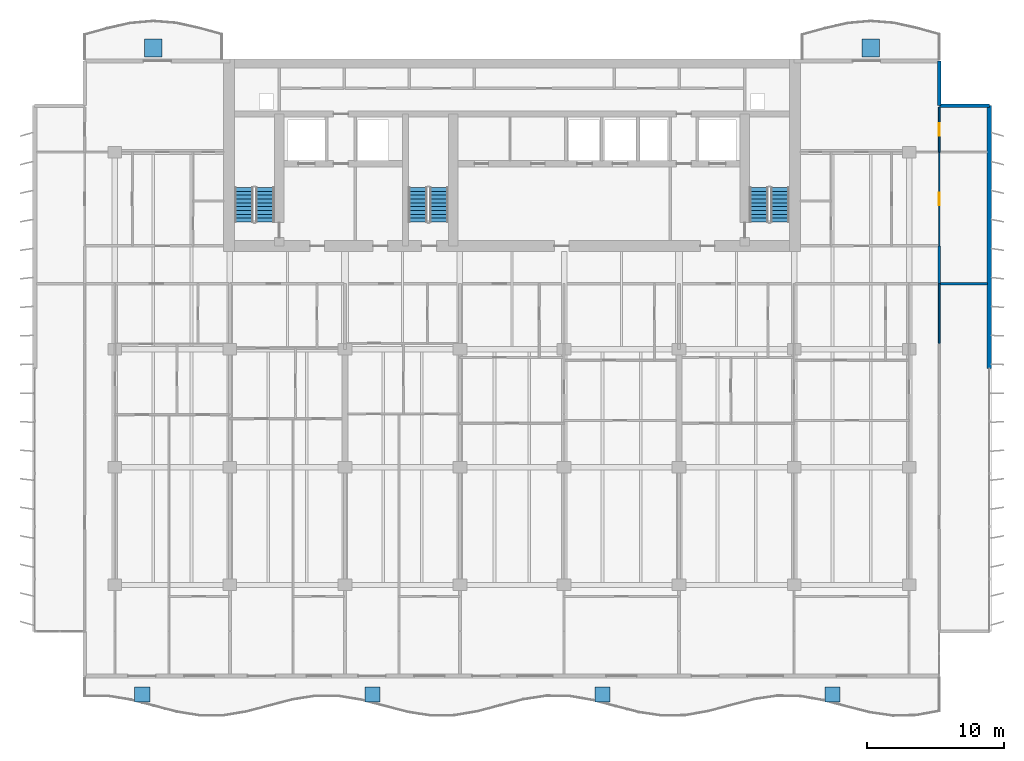
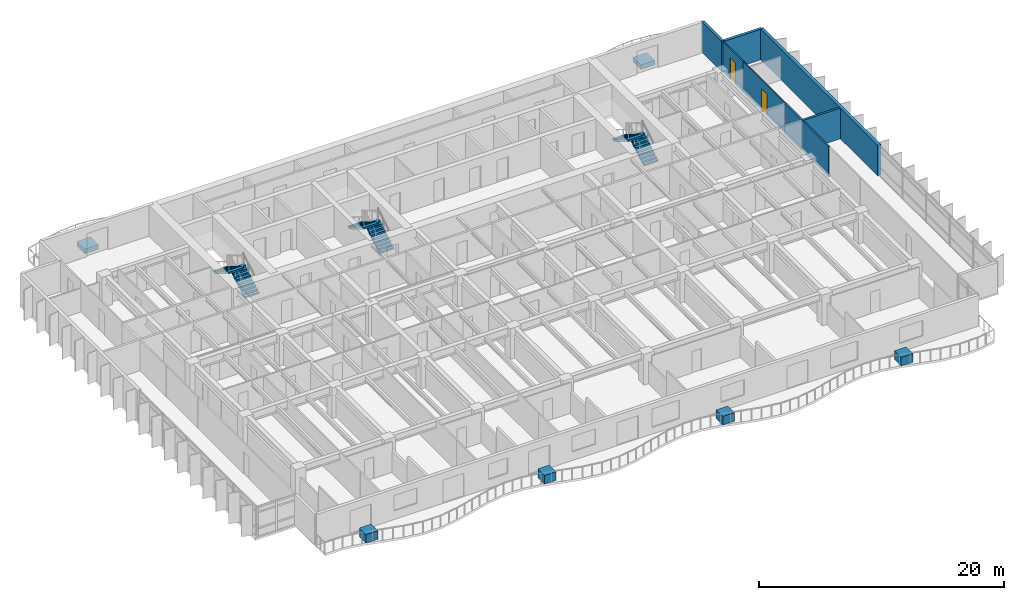
# One storey, part 12 of 16: 8 walls, 6 discrete accessories, 6 stair flights, 2 doors, 2 openings, 3 elements without a shape of their own.
"""IFC4 building model written with IfcOpenShell, lengths in metres."""

from ifc_helpers import new_model, si_unit, direction, frame, frame_2d, origin, origin_2d, place, context, subcontext, project, spatial, polyline, rectangle, outline, extrude, material, layer, layer_set, type_object, element, fill, aggregate, save


model = new_model("IFC4")

# Units and contexts
model_context = context("Model", 3, precision=1e-05, world=origin(), true_north=direction((0.0, 1.0)))
body_context = subcontext(model_context, "Body", "Model", "MODEL_VIEW")
ifc_project = project(units=[si_unit("LENGTHUNIT", "METRE"), si_unit("AREAUNIT", "SQUARE_METRE"), si_unit("VOLUMEUNIT", "CUBIC_METRE"), si_unit("PLANEANGLEUNIT", "RADIAN"), si_unit("MASSUNIT", "GRAM", prefix="KILO")], contexts=[model_context])

# Site, building, storey
site_placement = place(None, origin())
site = spatial("IfcSite", under=ifc_project, at=site_placement, CompositionType="ELEMENT")
building_placement = place(site_placement, origin())
building = spatial("IfcBuilding", under=site, at=building_placement, Name="Caelmar Bay Residences", CompositionType="ELEMENT")
storey_placement = place(building_placement, frame((0.0, 0.0, 145.5)))
storey = spatial("IfcBuildingStorey", under=building, at=storey_placement, Name="L40", CompositionType="ELEMENT", Elevation=145.5)

# Walls
ifc_material_1 = material(Name="Double-stud acoustic fire-rated gypsum partition 180 mm")
ifc_layer_1 = layer(ifc_material_1, 0.179931640625)
ifc_layer_set_1 = layer_set([ifc_layer_1], Name="Double-stud acoustic fire-rated gypsum partition 180 mm")
wall_type_1 = type_object("IfcWallType", Name="W-COR-200", PredefinedType="PARTITIONING", material=ifc_layer_set_1)
wall_1_placement = place(storey_placement, frame((70.10009765625, 34.205078125, 0.0), z_axis=(0.0, 0.0, 1.0), x_axis=(0.0, 1.0, 0.0)))
element("IfcWall", 1, at=wall_1_placement, inside=storey, type_object=wall_type_1, Name="L40 Partition Wall V087", PredefinedType="PARTITIONING", context=body_context, shape_type="SweptSolid", body=[
    extrude(rectangle(XDim=2.744873046875, YDim=0.179931640625, at=frame_2d((1.37255859375, 0.0))), origin(), (0.0, 0.0, 1.0), 3.050048828125),
])
ifc_material_2 = material(Name="Precast concrete f'c 40 MPa (6,000 psi)", Category="concrete")
ifc_layer_2 = layer(ifc_material_2, 0.25)
ifc_layer_set_2 = layer_set([ifc_layer_2], Name="Precast concrete f'c 40 MPa (6,000 psi)")
wall_type_2 = type_object("IfcWallType", Name="W-EXT-250", PredefinedType="ELEMENTEDWALL", material=ifc_layer_set_2)
wall_2_placement = place(storey_placement, frame((70.10009765625, 50.449951171875, 0.0), z_axis=(0.0, 0.0, 1.0), x_axis=(0.0, -1.0, 0.0)))
element("IfcWall", 2, at=wall_2_placement, inside=storey, type_object=wall_type_2, Name="L40 NNE-V Notch Wall", PredefinedType="ELEMENTEDWALL", context=body_context, shape_type="SweptSolid", body=[
    extrude(rectangle(XDim=3.25, YDim=0.25, at=frame_2d((1.625, 0.0))), origin(), (0.0, 0.0, 1.0), 3.050048828125),
])
wall_3_placement = place(storey_placement, frame((70.10009765625, 47.199951171875, 0.0), z_axis=(0.0, 0.0, 1.0), x_axis=(1.0, 0.0, 0.0)))
element("IfcWall", 3, at=wall_3_placement, inside=storey, type_object=wall_type_2, Name="L40 NNE-H Notch Wall", PredefinedType="ELEMENTEDWALL", context=body_context, shape_type="SweptSolid", body=[
    extrude(rectangle(XDim=3.64990234375, YDim=0.25, at=frame_2d((1.824951171875, 0.0))), origin(), (0.0, 0.0, 1.0), 3.050048828125),
])
ifc_layer_3 = layer(ifc_material_2, 0.300048828125)
ifc_layer_set_3 = layer_set([ifc_layer_3], Name="Precast concrete f'c 40 MPa (6,000 psi)")
wall_type_3 = type_object("IfcWallType", Name="W-EXT-300", PredefinedType="STANDARD", material=ifc_layer_set_3)
wall_4_placement = place(storey_placement, frame((73.75, 47.199951171875, 0.0), z_axis=(0.0, 0.0, 1.0), x_axis=(0.0, -1.0, 0.0)))
element("IfcWall", 4, at=wall_4_placement, inside=storey, type_object=wall_type_3, Name="L40 East Rear Exterior Wall", PredefinedType="STANDARD", context=body_context, shape_type="SweptSolid", body=[
    extrude(rectangle(XDim=19.199951171875, YDim=0.300048828125, at=frame_2d((9.60009765625, 0.0))), origin(), (0.0, 0.0, 1.0), 3.050048828125),
])

# Wall, opening, door
ifc_material_3 = material(Name="Anodised bronze framed acoustic sliding study partition 100 mm")
ifc_layer_4 = layer(ifc_material_3, 0.10009765625)
ifc_layer_set_4 = layer_set([ifc_layer_4], Name="Anodised bronze framed acoustic sliding study partition 100 mm")
wall_type_4 = type_object("IfcWallType", Name="W-MOV-100", PredefinedType="MOVABLE", material=ifc_layer_set_4)
wall_5_placement = place(storey_placement, frame((70.10009765625, 36.955078125, 0.0), z_axis=(0.0, 0.0, 1.0), x_axis=(0.0, 1.0, 0.0)))
wall_5 = element("IfcWall", 5, at=wall_5_placement, inside=storey, type_object=wall_type_4, Name="L40 Partition Wall V088", PredefinedType="MOVABLE", context=body_context, shape_type="SweptSolid", body=[
    extrude(rectangle(XDim=6.844970703125, YDim=0.10009765625, at=frame_2d((3.42236328125, 0.0))), origin(), (0.0, 0.0, 1.0), 3.050048828125),
])
opening_1_placement = place(wall_5_placement, frame((2.972412109375, 0.0, 0.0)))
opening_1 = element("IfcOpeningElement", 6, at=opening_1_placement, cuts=wall_5, Name="Opening D-L40-180", PredefinedType="OPENING", context=body_context, shape_type="SweptSolid", body=[
    extrude(rectangle(XDim=0.89990234375, YDim=2.14990234375, at=frame_2d((0.449951171875, 1.074951171875))), frame((0.0, 0.06005859375, 0.0), z_axis=(0.0, -1.0, 0.0), x_axis=(1.0, 0.0, 0.0)), (0.0, 0.0, 1.0), 0.1201171875),
])
ifc_material_4 = material(Name="Solid walnut timber interior door leaf and frame", Category="wood")
ifc_layer_5 = layer(ifc_material_4, 0.050048828125)
ifc_layer_set_5 = layer_set([ifc_layer_5], Name="Solid walnut timber interior door leaf and frame")
door_type = type_object("IfcDoorType", Name="D-ROOM-900", OperationType="NOTDEFINED", PredefinedType="DOOR", material=ifc_layer_set_5)
door_1_placement = place(opening_1_placement, origin())
door_1 = element("IfcDoor", 7, at=door_1_placement, inside=storey, type_object=door_type, Name="L40 Residence EA Sun Study Door", OperationType="SINGLE_SWING_RIGHT", OverallHeight=2.14990234375, OverallWidth=0.89990234375, PredefinedType="DOOR", context=body_context, shape_type="SweptSolid", body=[
    extrude(rectangle(XDim=0.89990234375, YDim=2.14990234375, at=frame_2d((0.449951171875, 1.074951171875))), frame((0.0, 0.02490234375, 0.0), z_axis=(0.0, -1.0, 0.0), x_axis=(1.0, 0.0, 0.0)), (0.0, 0.0, 1.0), 0.050048828125),
])
fill(opening_1, door_1)

# Wall
ifc_material_5 = material(Name="Acoustic metal-stud gypsum partition 120 mm")
ifc_layer_6 = layer(ifc_material_5, 0.1201171875)
ifc_layer_set_6 = layer_set([ifc_layer_6], Name="Acoustic metal-stud gypsum partition 120 mm")
wall_type_5 = type_object("IfcWallType", Name="W-PRT-120", PredefinedType="PARTITIONING", material=ifc_layer_set_6)
wall_6_placement = place(storey_placement, frame((70.10009765625, 29.840087890625, 0.0), z_axis=(0.0, 0.0, 1.0), x_axis=(0.0, 1.0, 0.0)))
element("IfcWall", 8, at=wall_6_placement, inside=storey, type_object=wall_type_5, Name="L40 Partition Wall V086", PredefinedType="PARTITIONING", context=body_context, shape_type="SweptSolid", body=[
    extrude(rectangle(XDim=4.35986328125, YDim=0.1201171875, at=frame_2d((2.179931640625, 0.0))), origin(), (0.0, 0.0, 1.0), 3.050048828125),
])

# Wall, opening, door
wall_7_placement = place(storey_placement, frame((70.10009765625, 43.804931640625, 0.0), z_axis=(0.0, 0.0, 1.0), x_axis=(0.0, 1.0, 0.0)))
wall_7 = element("IfcWall", 9, at=wall_7_placement, inside=storey, type_object=wall_type_5, Name="L40 Partition Wall V089", PredefinedType="PARTITIONING", context=body_context, shape_type="SweptSolid", body=[
    extrude(rectangle(XDim=3.275146484375, YDim=0.1201171875, at=frame_2d((1.6376953125, 0.0))), origin(), (0.0, 0.0, 1.0), 3.050048828125),
])
opening_2_placement = place(wall_7_placement, frame((1.1875, 0.0, 0.0)))
opening_2 = element("IfcOpeningElement", 10, at=opening_2_placement, cuts=wall_7, Name="Opening D-L40-181", PredefinedType="OPENING", context=body_context, shape_type="SweptSolid", body=[
    extrude(rectangle(XDim=0.89990234375, YDim=2.14990234375, at=frame_2d((0.449951171875, 1.074951171875))), frame((0.0, 0.070068359375, 0.0), z_axis=(0.0, -1.0, 0.0), x_axis=(1.0, 0.0, 0.0)), (0.0, 0.0, 1.0), 0.14013671875),
])
door_2_placement = place(opening_2_placement, origin())
door_2 = element("IfcDoor", 11, at=door_2_placement, inside=storey, type_object=door_type, Name="L40 Residence EA North Sitting Alcove Door", OperationType="SINGLE_SWING_LEFT", OverallHeight=2.14990234375, OverallWidth=0.89990234375, PredefinedType="DOOR", context=body_context, shape_type="SweptSolid", body=[
    extrude(rectangle(XDim=0.89990234375, YDim=2.14990234375, at=frame_2d((0.449951171875, 1.074951171875))), frame((0.0, 0.02490234375, 0.0), z_axis=(0.0, -1.0, 0.0), x_axis=(1.0, 0.0, 0.0)), (0.0, 0.0, 1.0), 0.050048828125),
])
fill(opening_2, door_2)

# Wall
ifc_material_6 = material(Name="Acoustic twin-stud fire-rated inter-tenancy partition 200 mm")
ifc_layer_7 = layer(ifc_material_6, 0.199951171875)
ifc_layer_set_7 = layer_set([ifc_layer_7], Name="Acoustic twin-stud fire-rated inter-tenancy partition 200 mm")
wall_type_6 = type_object("IfcWallType", Name="W-PTY-200", PredefinedType="PARTITIONING", material=ifc_layer_set_7)
wall_8_placement = place(storey_placement, frame((70.10498046875, 34.199951171875, 0.0), z_axis=(0.0, 0.0, 1.0), x_axis=(1.0, 0.0, 0.0)))
element("IfcWall", 12, at=wall_8_placement, inside=storey, type_object=wall_type_6, Name="L40 Partition Wall H114", PredefinedType="PARTITIONING", context=body_context, shape_type="SweptSolid", body=[
    extrude(rectangle(XDim=3.5, YDim=0.199951171875, at=frame_2d((1.75, 0.0))), origin(), (0.0, 0.0, 1.0), 3.050048828125),
])

# Stair, stair flights
ifc_material_7 = material(Name="Concrete f'c 40 MPa (6,000 psi)", Category="concrete")
stair_type = type_object("IfcStairType", Name="ST-TYP-165", PredefinedType="HALF_TURN_STAIR", material=ifc_material_7)
stair_1_placement = place(storey_placement, origin())
stair_1 = element("IfcStair", 13, at=stair_1_placement, inside=storey, type_object=stair_type, Name="L40 West Smokeproof Exit Stair ST1", PredefinedType="HALF_TURN_STAIR")
stair_flight_type = type_object("IfcStairFlightType", Name="STF-1350", PredefinedType="STRAIGHT", material=ifc_material_7)
stair_flight_1_placement = place(storey_placement, frame((20.875, 38.699951171875, 0.0), z_axis=(0.0, 0.0, 1.0), x_axis=(0.0, 1.0, 0.0)))
stair_flight_1 = element("IfcStairFlight", 14, at=stair_flight_1_placement, type_object=stair_flight_type, Name="ST1 flight 1", NumberOfRisers=10, NumberOfTreads=9, PredefinedType="STRAIGHT", RiserHeight=0.165, TreadLength=0.28, context=body_context, shape_type="SweptSolid", body=[
    extrude(outline(polyline([(0.0, 0.0), (0.0, 0.1650390625), (0.280029296875, 0.1650390625), (0.280029296875, 0.330078125), (0.56005859375, 0.330078125), (0.56005859375, 0.4951171875), (0.840087890625, 0.4951171875), (0.840087890625, 0.659912109375), (1.1201171875, 0.659912109375), (1.1201171875, 0.824951171875), (1.39990234375, 0.824951171875), (1.39990234375, 0.989990234375), (1.679931640625, 0.989990234375), (1.679931640625, 1.155029296875), (1.9599609375, 1.155029296875), (1.9599609375, 1.320068359375), (2.239990234375, 1.320068359375), (2.239990234375, 1.485107421875), (2.52001953125, 1.485107421875), (2.52001953125, 1.64990234375), (2.52001953125, 1.31103515625), (0.295166015625, 0.0), (0.0, 0.0)])), frame((0.0, 0.675048828125, 0.0), z_axis=(0.0, -1.0, 0.0), x_axis=(1.0, 0.0, 0.0)), (0.0, 0.0, 1.0), 1.35009765625),
])
stair_flight_2_placement = place(storey_placement, frame((19.324951171875, 41.219970703125, 1.64990234375), z_axis=(0.0, 0.0, 1.0), x_axis=(0.0, -1.0, 0.0)))
stair_flight_2 = element("IfcStairFlight", 15, at=stair_flight_2_placement, type_object=stair_flight_type, Name="ST1 flight 2", NumberOfRisers=10, NumberOfTreads=9, PredefinedType="STRAIGHT", RiserHeight=0.165, TreadLength=0.28, context=body_context, shape_type="SweptSolid", body=[
    extrude(outline(polyline([(0.0, 0.0), (0.0, 0.1650390625), (0.280029296875, 0.1650390625), (0.280029296875, 0.330078125), (0.56005859375, 0.330078125), (0.56005859375, 0.4951171875), (0.840087890625, 0.4951171875), (0.840087890625, 0.659912109375), (1.1201171875, 0.659912109375), (1.1201171875, 0.824951171875), (1.39990234375, 0.824951171875), (1.39990234375, 0.989990234375), (1.679931640625, 0.989990234375), (1.679931640625, 1.155029296875), (1.9599609375, 1.155029296875), (1.9599609375, 1.320068359375), (2.239990234375, 1.320068359375), (2.239990234375, 1.485107421875), (2.52001953125, 1.485107421875), (2.52001953125, 1.64990234375), (2.52001953125, 1.31103515625), (0.295166015625, 0.0), (0.0, 0.0)])), frame((0.0, 0.675048828125, 0.0), z_axis=(0.0, -1.0, 0.0), x_axis=(1.0, 0.0, 0.0)), (0.0, 0.0, 1.0), 1.35009765625),
])
aggregate(stair_1, [stair_flight_1, stair_flight_2])

stair_2_placement = place(storey_placement, origin())
stair_2 = element("IfcStair", 16, at=stair_2_placement, inside=storey, type_object=stair_type, Name="L40 East Smokeproof Exit Stair ST2", PredefinedType="HALF_TURN_STAIR")
stair_flight_3_placement = place(storey_placement, frame((58.47509765625, 38.699951171875, 0.0), z_axis=(0.0, 0.0, 1.0), x_axis=(0.0, 1.0, 0.0)))
stair_flight_3 = element("IfcStairFlight", 17, at=stair_flight_3_placement, type_object=stair_flight_type, Name="ST2 flight 1", NumberOfRisers=10, NumberOfTreads=9, PredefinedType="STRAIGHT", RiserHeight=0.165, TreadLength=0.28, context=body_context, shape_type="SweptSolid", body=[
    extrude(outline(polyline([(0.0, 0.0), (0.0, 0.1650390625), (0.280029296875, 0.1650390625), (0.280029296875, 0.330078125), (0.56005859375, 0.330078125), (0.56005859375, 0.4951171875), (0.840087890625, 0.4951171875), (0.840087890625, 0.659912109375), (1.1201171875, 0.659912109375), (1.1201171875, 0.824951171875), (1.39990234375, 0.824951171875), (1.39990234375, 0.989990234375), (1.679931640625, 0.989990234375), (1.679931640625, 1.155029296875), (1.9599609375, 1.155029296875), (1.9599609375, 1.320068359375), (2.239990234375, 1.320068359375), (2.239990234375, 1.485107421875), (2.52001953125, 1.485107421875), (2.52001953125, 1.64990234375), (2.52001953125, 1.31103515625), (0.295166015625, 0.0), (0.0, 0.0)])), frame((0.0, 0.675048828125, 0.0), z_axis=(0.0, -1.0, 0.0), x_axis=(1.0, 0.0, 0.0)), (0.0, 0.0, 1.0), 1.35009765625),
])
stair_flight_4_placement = place(storey_placement, frame((56.925048828125, 41.219970703125, 1.64990234375), z_axis=(0.0, 0.0, 1.0), x_axis=(0.0, -1.0, 0.0)))
stair_flight_4 = element("IfcStairFlight", 18, at=stair_flight_4_placement, type_object=stair_flight_type, Name="ST2 flight 2", NumberOfRisers=10, NumberOfTreads=9, PredefinedType="STRAIGHT", RiserHeight=0.165, TreadLength=0.28, context=body_context, shape_type="SweptSolid", body=[
    extrude(outline(polyline([(0.0, 0.0), (0.0, 0.1650390625), (0.280029296875, 0.1650390625), (0.280029296875, 0.330078125), (0.56005859375, 0.330078125), (0.56005859375, 0.4951171875), (0.840087890625, 0.4951171875), (0.840087890625, 0.659912109375), (1.1201171875, 0.659912109375), (1.1201171875, 0.824951171875), (1.39990234375, 0.824951171875), (1.39990234375, 0.989990234375), (1.679931640625, 0.989990234375), (1.679931640625, 1.155029296875), (1.9599609375, 1.155029296875), (1.9599609375, 1.320068359375), (2.239990234375, 1.320068359375), (2.239990234375, 1.485107421875), (2.52001953125, 1.485107421875), (2.52001953125, 1.64990234375), (2.52001953125, 1.31103515625), (0.295166015625, 0.0), (0.0, 0.0)])), frame((0.0, 0.675048828125, 0.0), z_axis=(0.0, -1.0, 0.0), x_axis=(1.0, 0.0, 0.0)), (0.0, 0.0, 1.0), 1.35009765625),
])
aggregate(stair_2, [stair_flight_3, stair_flight_4])

stair_3_placement = place(storey_placement, origin())
stair_3 = element("IfcStair", 19, at=stair_3_placement, inside=storey, type_object=stair_type, Name="L40 Central Smokeproof Exit Stair ST3", PredefinedType="HALF_TURN_STAIR")
stair_flight_5_placement = place(storey_placement, frame((33.574951171875, 38.699951171875, 0.0), z_axis=(0.0, 0.0, 1.0), x_axis=(0.0, 1.0, 0.0)))
stair_flight_5 = element("IfcStairFlight", 20, at=stair_flight_5_placement, type_object=stair_flight_type, Name="ST3 flight 1", NumberOfRisers=10, NumberOfTreads=9, PredefinedType="STRAIGHT", RiserHeight=0.165, TreadLength=0.28, context=body_context, shape_type="SweptSolid", body=[
    extrude(outline(polyline([(0.0, 0.0), (0.0, 0.1650390625), (0.280029296875, 0.1650390625), (0.280029296875, 0.330078125), (0.56005859375, 0.330078125), (0.56005859375, 0.4951171875), (0.840087890625, 0.4951171875), (0.840087890625, 0.659912109375), (1.1201171875, 0.659912109375), (1.1201171875, 0.824951171875), (1.39990234375, 0.824951171875), (1.39990234375, 0.989990234375), (1.679931640625, 0.989990234375), (1.679931640625, 1.155029296875), (1.9599609375, 1.155029296875), (1.9599609375, 1.320068359375), (2.239990234375, 1.320068359375), (2.239990234375, 1.485107421875), (2.52001953125, 1.485107421875), (2.52001953125, 1.64990234375), (2.52001953125, 1.31103515625), (0.295166015625, 0.0), (0.0, 0.0)])), frame((0.0, 0.675048828125, 0.0), z_axis=(0.0, -1.0, 0.0), x_axis=(1.0, 0.0, 0.0)), (0.0, 0.0, 1.0), 1.35009765625),
])
stair_flight_6_placement = place(storey_placement, frame((32.02490234375, 41.219970703125, 1.64990234375), z_axis=(0.0, 0.0, 1.0), x_axis=(0.0, -1.0, 0.0)))
stair_flight_6 = element("IfcStairFlight", 21, at=stair_flight_6_placement, type_object=stair_flight_type, Name="ST3 flight 2", NumberOfRisers=10, NumberOfTreads=9, PredefinedType="STRAIGHT", RiserHeight=0.165, TreadLength=0.28, context=body_context, shape_type="SweptSolid", body=[
    extrude(outline(polyline([(0.0, 0.0), (0.0, 0.1650390625), (0.280029296875, 0.1650390625), (0.280029296875, 0.330078125), (0.56005859375, 0.330078125), (0.56005859375, 0.4951171875), (0.840087890625, 0.4951171875), (0.840087890625, 0.659912109375), (1.1201171875, 0.659912109375), (1.1201171875, 0.824951171875), (1.39990234375, 0.824951171875), (1.39990234375, 0.989990234375), (1.679931640625, 0.989990234375), (1.679931640625, 1.155029296875), (1.9599609375, 1.155029296875), (1.9599609375, 1.320068359375), (2.239990234375, 1.320068359375), (2.239990234375, 1.485107421875), (2.52001953125, 1.485107421875), (2.52001953125, 1.64990234375), (2.52001953125, 1.31103515625), (0.295166015625, 0.0), (0.0, 0.0)])), frame((0.0, 0.675048828125, 0.0), z_axis=(0.0, -1.0, 0.0), x_axis=(1.0, 0.0, 0.0)), (0.0, 0.0, 1.0), 1.35009765625),
])
aggregate(stair_3, [stair_flight_5, stair_flight_6])

# Discrete accessories
ifc_material_8 = material(Name="Architectural bronze GRC planter trough with volcanic-lapilli substrate")
discrete_accessory_type_1 = type_object("IfcDiscreteAccessoryType", Name="ACC-PLANTER-1100", PredefinedType="USERDEFINED", material=ifc_material_8)
for number, where, z_axis, x_axis, name in (
    (22, (11.89990234375, 4.181884765625, 0.0), (0.0, 0.0, 1.0), (1.0, 0.0, 0.0), "L40 Balcony Structural Tree Planter 1"),
    (23, (28.699951171875, 4.181884765625, 0.0), (0.0, 0.0, 1.0), (1.0, 0.0, 0.0), "L40 Balcony Structural Tree Planter 2"),
    (24, (45.5, 4.181884765625, 0.0), (0.0, 0.0, 1.0), (1.0, 0.0, 0.0), "L40 Balcony Structural Tree Planter 3"),
    (25, (62.300048828125, 4.181884765625, 0.0), (0.0, 0.0, 1.0), (1.0, 0.0, 0.0), "L40 Balcony Structural Tree Planter 4"),
):
    element("IfcDiscreteAccessory", number, at=place(storey_placement, frame(where, z_axis=z_axis, x_axis=x_axis)), inside=storey, type_object=discrete_accessory_type_1, Name=name, ObjectType="PLANTER", PredefinedType="USERDEFINED", context=body_context, shape_type="SweptSolid", body=[
        extrude(rectangle(XDim=1.10009765625, YDim=1.10009765625, at=origin_2d()), origin(), (0.0, 0.0, 1.0), 0.85009765625),
    ])
discrete_accessory_type_2 = type_object("IfcDiscreteAccessoryType", Name="STR-PLANTER-KERB-450", PredefinedType="USERDEFINED", material=ifc_material_2)
for number, where, z_axis, x_axis, name in (
    (26, (12.699951171875, 51.39990234375, 0.0), (0.0, 0.0, 1.0), (1.0, 0.0, 0.0), "L40 north_west Structural Tree Planter Kerb"),
    (27, (65.10009765625, 51.39990234375, 0.0), (0.0, 0.0, 1.0), (1.0, 0.0, 0.0), "L40 north_east Structural Tree Planter Kerb"),
):
    element("IfcDiscreteAccessory", number, at=place(storey_placement, frame(where, z_axis=z_axis, x_axis=x_axis)), inside=storey, type_object=discrete_accessory_type_2, Name=name, ObjectType="PLANTER", PredefinedType="USERDEFINED", context=body_context, shape_type="SweptSolid", body=[
        extrude(rectangle(XDim=1.300048828125, YDim=1.300048828125, at=origin_2d()), origin(), (0.0, 0.0, 1.0), 0.449951171875),
    ])

save(model, "model.ifc")
